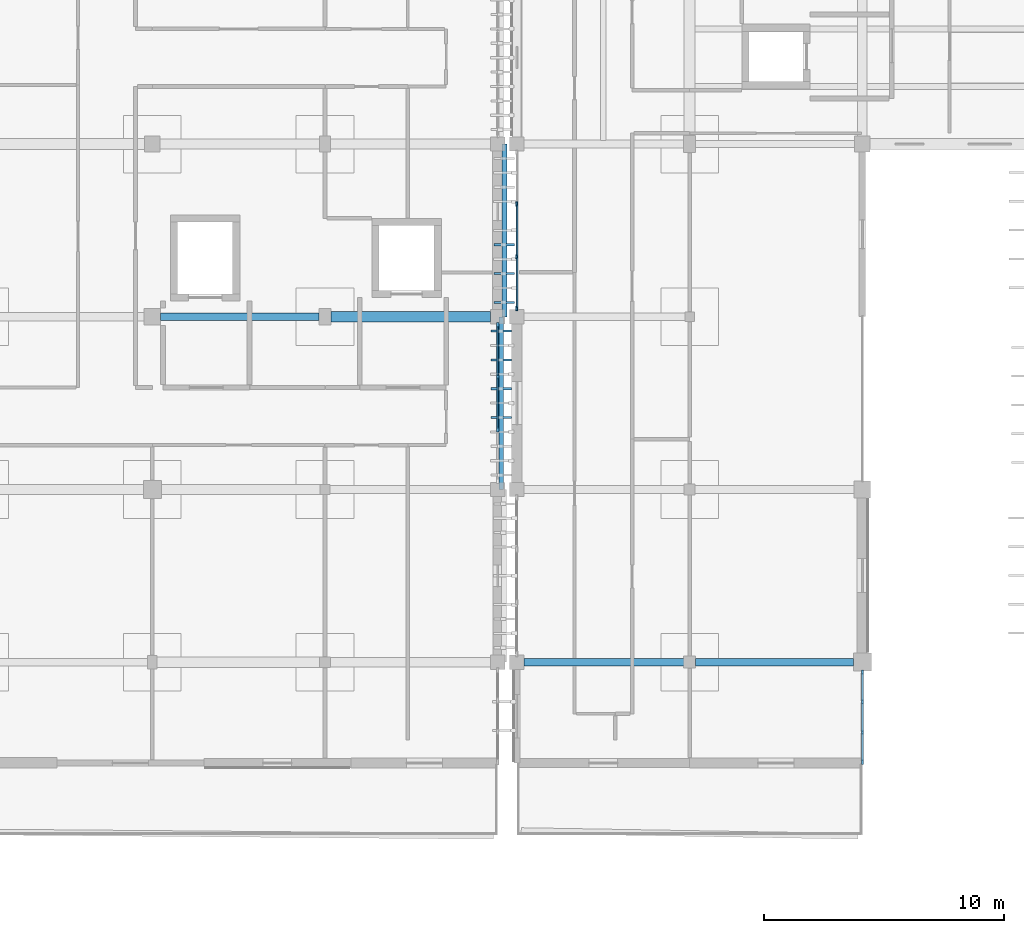
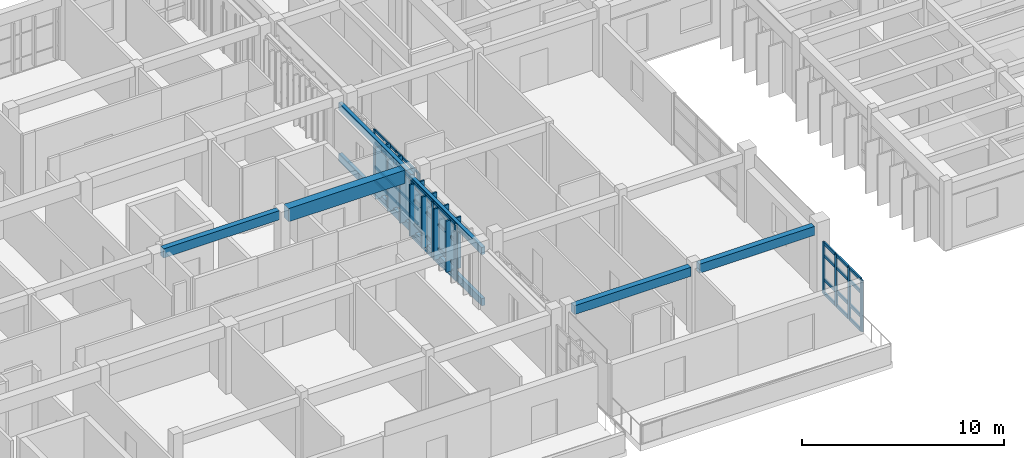
# One storey, part 4 of 55: 45 members, 8 beams, 3 elements without a shape of their own.
"""IFC4 building model written with IfcOpenShell, lengths in metres."""

from ifc_helpers import new_model, si_unit, direction, frame, origin, origin_2d, place, context, subcontext, project, spatial, rectangle, extrude, material, material_profile, profile_set, type_object, element, aggregate, save


model = new_model("IFC4")

# Units and contexts
model_context = context("Model", 3, precision=1e-05, world=origin(), true_north=direction((0.0, 1.0)))
body_context = subcontext(model_context, "Body", "Model", "MODEL_VIEW")
ifc_project = project(units=[si_unit("LENGTHUNIT", "METRE"), si_unit("AREAUNIT", "SQUARE_METRE"), si_unit("VOLUMEUNIT", "CUBIC_METRE"), si_unit("PLANEANGLEUNIT", "RADIAN"), si_unit("MASSUNIT", "GRAM", prefix="KILO")], contexts=[model_context])

# Site, building, storey
site_placement = place(None, origin())
site = spatial("IfcSite", under=ifc_project, at=site_placement, CompositionType="ELEMENT")
building_placement = place(site_placement, origin())
building = spatial("IfcBuilding", under=site, at=building_placement, Name="Steenspoor Specialist Clinic", CompositionType="ELEMENT")
storey_placement = place(building_placement, frame((0.0, 0.0, 13.199951171875)))
storey = spatial("IfcBuildingStorey", under=building, at=storey_placement, Name="L03", CompositionType="ELEMENT", Elevation=13.199951171875)

# Beams
ifc_material_1 = material(Name="Glulam GL28h", Category="wood")
ifc_material_profile_1 = material_profile(ifc_material_1, rectangle(XDim=0.199951171875, YDim=0.43994140625, at=origin_2d()), Name="GL28H-200X440")
ifc_profile_set_1 = profile_set([ifc_material_profile_1], Name="Glulam GL28h")
beam_type_1 = type_object("IfcBeamType", Name="BM-GL-200X440", PredefinedType="BEAM", material=ifc_profile_set_1)
for number, where, z_axis, x_axis, name in (
    (1, (51.8798828125, 93.949951171875, 0.14013671875), (0.0, -1.0, 0.0), (1.0, 0.0, 0.0), "Timber Screen Tie Rail V5 L03 215"),
    (2, (51.8798828125, 93.949951171875, 3.22998046875), (0.0, -1.0, 0.0), (1.0, 0.0, 0.0), "Timber Screen Tie Rail V5 L03 216"),
    (3, (51.75, 86.75, 0.14013671875), (0.0, -1.0, 0.0), (1.0, 0.0, 0.0), "Timber Screen Tie Rail V5 L03 222"),
    (4, (51.75, 86.75, 3.22998046875), (0.0, -1.0, 0.0), (1.0, 0.0, 0.0), "Timber Screen Tie Rail V5 L03 223"),
):
    element("IfcBeam", number, at=place(storey_placement, frame(where, z_axis=z_axis, x_axis=x_axis)), inside=storey, type_object=beam_type_1, Name=name, PredefinedType="BEAM", context=body_context, shape_type="SweptSolid", body=[
        extrude(rectangle(XDim=0.199951171875, YDim=0.43994140625, at=origin_2d()), origin(), (0.0, 0.0, 1.0), 7.199951171875),
    ])
ifc_material_2 = material(Name="Concrete C35/45", Category="concrete")
ifc_material_profile_2 = material_profile(ifc_material_2, rectangle(XDim=0.300048828125, YDim=0.550048828125, at=origin_2d()), Name="RC-BM-300X550")
ifc_profile_set_2 = profile_set([ifc_material_profile_2], Name="Concrete C35/45")
beam_type_2 = type_object("IfcBeamType", Name="BM-RC-300X550", PredefinedType="BEAM", material=ifc_profile_set_2)
beam_1_placement = place(storey_placement, frame((37.544921875, 86.75, 3.760009765625), z_axis=(1.0, 0.0, 0.0), x_axis=(0.0, 1.0, 0.0)))
element("IfcBeam", 5, at=beam_1_placement, inside=storey, type_object=beam_type_2, Name="BM-V5-L03-X1345", PredefinedType="BEAM", context=body_context, shape_type="SweptSolid", body=[
    extrude(rectangle(XDim=0.300048828125, YDim=0.550048828125, at=origin_2d()), origin(), (0.0, 0.0, 1.0), 6.610107421875),
])
ifc_material_profile_3 = material_profile(ifc_material_2, rectangle(XDim=0.449951171875, YDim=0.800048828125, at=origin_2d()), Name="RC-BM-450X800")
ifc_profile_set_3 = profile_set([ifc_material_profile_3], Name="Concrete C35/45")
beam_type_3 = type_object("IfcBeamType", Name="BM-RC-450X800", PredefinedType="BEAM", material=ifc_profile_set_3)
beam_2_placement = place(storey_placement, frame((44.64501953125, 86.75, 3.635009765625), z_axis=(1.0, 0.0, 0.0), x_axis=(0.0, 1.0, 0.0)))
element("IfcBeam", 6, at=beam_2_placement, inside=storey, type_object=beam_type_3, Name="BM-V5-L03-X1346", PredefinedType="BEAM", context=body_context, shape_type="SweptSolid", body=[
    extrude(rectangle(XDim=0.449951171875, YDim=0.800048828125, at=origin_2d()), origin(), (0.0, 0.0, 1.0), 6.659912109375),
])

# Curtain wall, members
ifc_material_3 = material(Name="Thermally broken aluminium and low-emissivity glass", Category="aluminium")
curtain_wall_type_1 = type_object("IfcCurtainWallType", Name="CW-HALL-660X820", PredefinedType="USERDEFINED", material=ifc_material_3)
curtain_wall_1_placement = place(storey_placement, origin())
curtain_wall_1 = element("IfcCurtainWall", 7, at=curtain_wall_1_placement, inside=storey, type_object=curtain_wall_type_1, Name="Unitised Curtain Wall CW-V4-L03-121", ObjectType="UNITISED GLAZING", PredefinedType="USERDEFINED")
ifc_material_4 = material(Name="Thermally broken aluminium 6063-T6", Category="aluminium")
ifc_material_profile_4 = material_profile(ifc_material_4, rectangle(XDim=0.080078125, YDim=0.179931640625, at=origin_2d()), Name="CWM-80X180")
ifc_profile_set_4 = profile_set([ifc_material_profile_4], Name="Thermally broken aluminium 6063-T6")
member_type_1 = type_object("IfcMemberType", Name="CW-MULL-80X180", PredefinedType="MULLION", material=ifc_profile_set_4)
member_1_placement = place(storey_placement, frame((52.39990234375, 87.090087890625, 0.0), z_axis=(0.0, 0.0, 1.0), x_axis=(-1.0, 0.0, 0.0)))
member_1 = element("IfcMember", 8, at=member_1_placement, type_object=member_type_1, Name="CW-01 mullion 1", PredefinedType="MULLION", context=body_context, shape_type="SweptSolid", body=[
    extrude(rectangle(XDim=0.080078125, YDim=0.179931640625, at=origin_2d()), origin(), (0.0, 0.0, 1.0), 3.130126953125),
])
member_2_placement = place(storey_placement, frame((52.39990234375, 89.25, 0.0), z_axis=(0.0, 0.0, 1.0), x_axis=(-1.0, 0.0, 0.0)))
member_2 = element("IfcMember", 9, at=member_2_placement, type_object=member_type_1, Name="CW-01 mullion 2", PredefinedType="MULLION", context=body_context, shape_type="SweptSolid", body=[
    extrude(rectangle(XDim=0.080078125, YDim=0.179931640625, at=origin_2d()), origin(), (0.0, 0.0, 1.0), 3.130126953125),
])
member_3_placement = place(storey_placement, frame((52.39990234375, 91.449951171875, 0.0), z_axis=(0.0, 0.0, 1.0), x_axis=(-1.0, 0.0, 0.0)))
member_3 = element("IfcMember", 10, at=member_3_placement, type_object=member_type_1, Name="CW-01 mullion 3", PredefinedType="MULLION", context=body_context, shape_type="SweptSolid", body=[
    extrude(rectangle(XDim=0.080078125, YDim=0.179931640625, at=origin_2d()), origin(), (0.0, 0.0, 1.0), 3.130126953125),
])

curtain_wall_type_2 = type_object("IfcCurtainWallType", Name="CW-STR-220X355", PredefinedType="USERDEFINED", material=ifc_material_3)
curtain_wall_2_placement = place(storey_placement, origin())
curtain_wall_2 = element("IfcCurtainWall", 11, at=curtain_wall_2_placement, inside=storey, type_object=curtain_wall_type_2, Name="Unitised Curtain Wall CW-V4-L03-119", ObjectType="UNITISED GLAZING", PredefinedType="USERDEFINED")
ifc_material_profile_5 = material_profile(ifc_material_4, rectangle(XDim=0.090087890625, YDim=0.199951171875, at=origin_2d()), Name="CWM-90X200")
ifc_profile_set_5 = profile_set([ifc_material_profile_5], Name="Thermally broken aluminium 6063-T6")
member_type_2 = type_object("IfcMemberType", Name="CW-MULL-90X200", PredefinedType="MULLION", material=ifc_profile_set_5)
member_4_placement = place(storey_placement, frame((66.800048828125, 71.929931640625, 0.0), z_axis=(0.0, 0.0, 1.0), x_axis=(1.0, 0.0, 0.0)))
member_4 = element("IfcMember", 12, at=member_4_placement, type_object=member_type_2, Name="CW-23 mullion 1", PredefinedType="MULLION", context=body_context, shape_type="SweptSolid", body=[
    extrude(rectangle(XDim=0.090087890625, YDim=0.199951171875, at=origin_2d()), origin(), (0.0, 0.0, 1.0), 3.130126953125),
])
member_5_placement = place(storey_placement, frame((66.800048828125, 70.699951171875, 0.0), z_axis=(0.0, 0.0, 1.0), x_axis=(1.0, 0.0, 0.0)))
member_5 = element("IfcMember", 13, at=member_5_placement, type_object=member_type_2, Name="CW-23 mullion 2", PredefinedType="MULLION", context=body_context, shape_type="SweptSolid", body=[
    extrude(rectangle(XDim=0.090087890625, YDim=0.199951171875, at=origin_2d()), origin(), (0.0, 0.0, 1.0), 3.130126953125),
])
member_6_placement = place(storey_placement, frame((66.800048828125, 69.425048828125, 0.0), z_axis=(0.0, 0.0, 1.0), x_axis=(1.0, 0.0, 0.0)))
member_6 = element("IfcMember", 14, at=member_6_placement, type_object=member_type_2, Name="CW-23 mullion 3", PredefinedType="MULLION", context=body_context, shape_type="SweptSolid", body=[
    extrude(rectangle(XDim=0.090087890625, YDim=0.199951171875, at=origin_2d()), origin(), (0.0, 0.0, 1.0), 3.130126953125),
])
member_7_placement = place(storey_placement, frame((66.800048828125, 68.195068359375, 0.0), z_axis=(0.0, 0.0, 1.0), x_axis=(1.0, 0.0, 0.0)))
member_7 = element("IfcMember", 15, at=member_7_placement, type_object=member_type_2, Name="CW-23 mullion 4", PredefinedType="MULLION", context=body_context, shape_type="SweptSolid", body=[
    extrude(rectangle(XDim=0.090087890625, YDim=0.199951171875, at=origin_2d()), origin(), (0.0, 0.0, 1.0), 3.130126953125),
])

curtain_wall_type_3 = type_object("IfcCurtainWallType", Name="CW-SCR-660X320", PredefinedType="USERDEFINED", material=ifc_material_3)
curtain_wall_3_placement = place(storey_placement, origin())
curtain_wall_3 = element("IfcCurtainWall", 16, at=curtain_wall_3_placement, inside=storey, type_object=curtain_wall_type_3, Name="Unitised Curtain Wall CW-V5-L03-161", ObjectType="UNITISED GLAZING", PredefinedType="USERDEFINED")
member_8_placement = place(storey_placement, frame((51.60009765625, 86.405029296875, 0.0), z_axis=(0.0, 0.0, 1.0), x_axis=(1.0, 0.0, 0.0)))
member_8 = element("IfcMember", 17, at=member_8_placement, type_object=member_type_2, Name="CW-17 mullion 1", PredefinedType="MULLION", context=body_context, shape_type="SweptSolid", body=[
    extrude(rectangle(XDim=0.090087890625, YDim=0.199951171875, at=origin_2d()), origin(), (0.0, 0.0, 1.0), 3.380126953125),
])
member_9_placement = place(storey_placement, frame((51.60009765625, 84.25, 0.0), z_axis=(0.0, 0.0, 1.0), x_axis=(1.0, 0.0, 0.0)))
member_9 = element("IfcMember", 18, at=member_9_placement, type_object=member_type_2, Name="CW-17 mullion 2", PredefinedType="MULLION", context=body_context, shape_type="SweptSolid", body=[
    extrude(rectangle(XDim=0.090087890625, YDim=0.199951171875, at=origin_2d()), origin(), (0.0, 0.0, 1.0), 3.380126953125),
])
member_10_placement = place(storey_placement, frame((51.60009765625, 82.050048828125, 0.0), z_axis=(0.0, 0.0, 1.0), x_axis=(1.0, 0.0, 0.0)))
member_10 = element("IfcMember", 19, at=member_10_placement, type_object=member_type_2, Name="CW-17 mullion 3", PredefinedType="MULLION", context=body_context, shape_type="SweptSolid", body=[
    extrude(rectangle(XDim=0.090087890625, YDim=0.199951171875, at=origin_2d()), origin(), (0.0, 0.0, 1.0), 3.380126953125),
])

# Member
ifc_material_profile_6 = material_profile(ifc_material_4, rectangle(XDim=0.070068359375, YDim=0.14501953125, at=origin_2d()), Name="CWT-70X145")
ifc_profile_set_6 = profile_set([ifc_material_profile_6], Name="Thermally broken aluminium 6063-T6")
member_type_3 = type_object("IfcMemberType", Name="CW-TRAN-70X145", PredefinedType="USERDEFINED", material=ifc_profile_set_6)
member_11_placement = place(storey_placement, frame((52.39990234375, 87.1298828125, 0.03515625), z_axis=(0.0, 1.0, 0.0), x_axis=(-1.0, 0.0, 0.0)))
member_11 = element("IfcMember", 20, at=member_11_placement, type_object=member_type_3, Name="CW-01 transom 1.1", ObjectType="TRANSOM", PredefinedType="USERDEFINED", context=body_context, shape_type="SweptSolid", body=[
    extrude(rectangle(XDim=0.070068359375, YDim=0.14501953125, at=origin_2d()), origin(), (0.0, 0.0, 1.0), 2.080078125),
])

member_12_placement = place(storey_placement, frame((52.39990234375, 87.1298828125, 0.900146484375), z_axis=(0.0, 1.0, 0.0), x_axis=(-1.0, 0.0, 0.0)))
member_12 = element("IfcMember", 21, at=member_12_placement, type_object=member_type_3, Name="CW-01 transom 1.2", ObjectType="TRANSOM", PredefinedType="USERDEFINED", context=body_context, shape_type="SweptSolid", body=[
    extrude(rectangle(XDim=0.070068359375, YDim=0.14501953125, at=origin_2d()), origin(), (0.0, 0.0, 1.0), 2.080078125),
])

member_13_placement = place(storey_placement, frame((52.39990234375, 87.1298828125, 2.35009765625), z_axis=(0.0, 1.0, 0.0), x_axis=(-1.0, 0.0, 0.0)))
member_13 = element("IfcMember", 22, at=member_13_placement, type_object=member_type_3, Name="CW-01 transom 1.3", ObjectType="TRANSOM", PredefinedType="USERDEFINED", context=body_context, shape_type="SweptSolid", body=[
    extrude(rectangle(XDim=0.070068359375, YDim=0.14501953125, at=origin_2d()), origin(), (0.0, 0.0, 1.0), 2.080078125),
])

member_14_placement = place(storey_placement, frame((52.39990234375, 87.1298828125, 3.094970703125), z_axis=(0.0, 1.0, 0.0), x_axis=(-1.0, 0.0, 0.0)))
member_14 = element("IfcMember", 23, at=member_14_placement, type_object=member_type_3, Name="CW-01 transom 1.4", ObjectType="TRANSOM", PredefinedType="USERDEFINED", context=body_context, shape_type="SweptSolid", body=[
    extrude(rectangle(XDim=0.070068359375, YDim=0.14501953125, at=origin_2d()), origin(), (0.0, 0.0, 1.0), 2.080078125),
])

member_15_placement = place(storey_placement, frame((52.39990234375, 89.2900390625, 0.03515625), z_axis=(0.0, 1.0, 0.0), x_axis=(-1.0, 0.0, 0.0)))
member_15 = element("IfcMember", 24, at=member_15_placement, type_object=member_type_3, Name="CW-01 transom 2.1", ObjectType="TRANSOM", PredefinedType="USERDEFINED", context=body_context, shape_type="SweptSolid", body=[
    extrude(rectangle(XDim=0.070068359375, YDim=0.14501953125, at=origin_2d()), origin(), (0.0, 0.0, 1.0), 2.119873046875),
])

member_16_placement = place(storey_placement, frame((52.39990234375, 89.2900390625, 0.900146484375), z_axis=(0.0, 1.0, 0.0), x_axis=(-1.0, 0.0, 0.0)))
member_16 = element("IfcMember", 25, at=member_16_placement, type_object=member_type_3, Name="CW-01 transom 2.2", ObjectType="TRANSOM", PredefinedType="USERDEFINED", context=body_context, shape_type="SweptSolid", body=[
    extrude(rectangle(XDim=0.070068359375, YDim=0.14501953125, at=origin_2d()), origin(), (0.0, 0.0, 1.0), 2.119873046875),
])

member_17_placement = place(storey_placement, frame((52.39990234375, 89.2900390625, 2.35009765625), z_axis=(0.0, 1.0, 0.0), x_axis=(-1.0, 0.0, 0.0)))
member_17 = element("IfcMember", 26, at=member_17_placement, type_object=member_type_3, Name="CW-01 transom 2.3", ObjectType="TRANSOM", PredefinedType="USERDEFINED", context=body_context, shape_type="SweptSolid", body=[
    extrude(rectangle(XDim=0.070068359375, YDim=0.14501953125, at=origin_2d()), origin(), (0.0, 0.0, 1.0), 2.119873046875),
])

member_18_placement = place(storey_placement, frame((52.39990234375, 89.2900390625, 3.094970703125), z_axis=(0.0, 1.0, 0.0), x_axis=(-1.0, 0.0, 0.0)))
member_18 = element("IfcMember", 27, at=member_18_placement, type_object=member_type_3, Name="CW-01 transom 2.4", ObjectType="TRANSOM", PredefinedType="USERDEFINED", context=body_context, shape_type="SweptSolid", body=[
    extrude(rectangle(XDim=0.070068359375, YDim=0.14501953125, at=origin_2d()), origin(), (0.0, 0.0, 1.0), 2.119873046875),
])

aggregate(curtain_wall_1, [member_1, member_2, member_3, member_11, member_12, member_13, member_14, member_15, member_16, member_17, member_18])

member_19_placement = place(storey_placement, frame((51.60009765625, 86.360107421875, 0.03515625), z_axis=(0.0, -1.0, 0.0), x_axis=(1.0, 0.0, 0.0)))
member_19 = element("IfcMember", 28, at=member_19_placement, type_object=member_type_3, Name="CW-17 transom 1.1", ObjectType="TRANSOM", PredefinedType="USERDEFINED", context=body_context, shape_type="SweptSolid", body=[
    extrude(rectangle(XDim=0.070068359375, YDim=0.14501953125, at=origin_2d()), origin(), (0.0, 0.0, 1.0), 2.065185546875),
])

member_20_placement = place(storey_placement, frame((51.60009765625, 86.360107421875, 0.900146484375), z_axis=(0.0, -1.0, 0.0), x_axis=(1.0, 0.0, 0.0)))
member_20 = element("IfcMember", 29, at=member_20_placement, type_object=member_type_3, Name="CW-17 transom 1.2", ObjectType="TRANSOM", PredefinedType="USERDEFINED", context=body_context, shape_type="SweptSolid", body=[
    extrude(rectangle(XDim=0.070068359375, YDim=0.14501953125, at=origin_2d()), origin(), (0.0, 0.0, 1.0), 2.065185546875),
])

member_21_placement = place(storey_placement, frame((51.60009765625, 86.360107421875, 2.35009765625), z_axis=(0.0, -1.0, 0.0), x_axis=(1.0, 0.0, 0.0)))
member_21 = element("IfcMember", 30, at=member_21_placement, type_object=member_type_3, Name="CW-17 transom 1.3", ObjectType="TRANSOM", PredefinedType="USERDEFINED", context=body_context, shape_type="SweptSolid", body=[
    extrude(rectangle(XDim=0.070068359375, YDim=0.14501953125, at=origin_2d()), origin(), (0.0, 0.0, 1.0), 2.065185546875),
])

member_22_placement = place(storey_placement, frame((51.60009765625, 86.360107421875, 3.344970703125), z_axis=(0.0, -1.0, 0.0), x_axis=(1.0, 0.0, 0.0)))
member_22 = element("IfcMember", 31, at=member_22_placement, type_object=member_type_3, Name="CW-17 transom 1.4", ObjectType="TRANSOM", PredefinedType="USERDEFINED", context=body_context, shape_type="SweptSolid", body=[
    extrude(rectangle(XDim=0.070068359375, YDim=0.14501953125, at=origin_2d()), origin(), (0.0, 0.0, 1.0), 2.065185546875),
])

member_23_placement = place(storey_placement, frame((51.60009765625, 84.205078125, 0.03515625), z_axis=(0.0, -1.0, 0.0), x_axis=(1.0, 0.0, 0.0)))
member_23 = element("IfcMember", 32, at=member_23_placement, type_object=member_type_3, Name="CW-17 transom 2.1", ObjectType="TRANSOM", PredefinedType="USERDEFINED", context=body_context, shape_type="SweptSolid", body=[
    extrude(rectangle(XDim=0.070068359375, YDim=0.14501953125, at=origin_2d()), origin(), (0.0, 0.0, 1.0), 2.110107421875),
])

member_24_placement = place(storey_placement, frame((51.60009765625, 84.205078125, 0.900146484375), z_axis=(0.0, -1.0, 0.0), x_axis=(1.0, 0.0, 0.0)))
member_24 = element("IfcMember", 33, at=member_24_placement, type_object=member_type_3, Name="CW-17 transom 2.2", ObjectType="TRANSOM", PredefinedType="USERDEFINED", context=body_context, shape_type="SweptSolid", body=[
    extrude(rectangle(XDim=0.070068359375, YDim=0.14501953125, at=origin_2d()), origin(), (0.0, 0.0, 1.0), 2.110107421875),
])

member_25_placement = place(storey_placement, frame((51.60009765625, 84.205078125, 2.35009765625), z_axis=(0.0, -1.0, 0.0), x_axis=(1.0, 0.0, 0.0)))
member_25 = element("IfcMember", 34, at=member_25_placement, type_object=member_type_3, Name="CW-17 transom 2.3", ObjectType="TRANSOM", PredefinedType="USERDEFINED", context=body_context, shape_type="SweptSolid", body=[
    extrude(rectangle(XDim=0.070068359375, YDim=0.14501953125, at=origin_2d()), origin(), (0.0, 0.0, 1.0), 2.110107421875),
])

member_26_placement = place(storey_placement, frame((51.60009765625, 84.205078125, 3.344970703125), z_axis=(0.0, -1.0, 0.0), x_axis=(1.0, 0.0, 0.0)))
member_26 = element("IfcMember", 35, at=member_26_placement, type_object=member_type_3, Name="CW-17 transom 2.4", ObjectType="TRANSOM", PredefinedType="USERDEFINED", context=body_context, shape_type="SweptSolid", body=[
    extrude(rectangle(XDim=0.070068359375, YDim=0.14501953125, at=origin_2d()), origin(), (0.0, 0.0, 1.0), 2.110107421875),
])

aggregate(curtain_wall_3, [member_8, member_9, member_10, member_19, member_20, member_21, member_22, member_23, member_24, member_25, member_26])

ifc_material_profile_7 = material_profile(ifc_material_4, rectangle(XDim=0.090087890625, YDim=0.175048828125, at=origin_2d()), Name="CWT-90X175")
ifc_profile_set_7 = profile_set([ifc_material_profile_7], Name="Thermally broken aluminium 6063-T6")
member_type_4 = type_object("IfcMemberType", Name="CW-TRAN-90X175", PredefinedType="USERDEFINED", material=ifc_profile_set_7)
member_27_placement = place(storey_placement, frame((66.800048828125, 71.885009765625, 0.045166015625), z_axis=(0.0, -1.0, 0.0), x_axis=(1.0, 0.0, 0.0)))
member_27 = element("IfcMember", 36, at=member_27_placement, type_object=member_type_4, Name="CW-23 transom 1.1", ObjectType="TRANSOM", PredefinedType="USERDEFINED", context=body_context, shape_type="SweptSolid", body=[
    extrude(rectangle(XDim=0.090087890625, YDim=0.175048828125, at=origin_2d()), origin(), (0.0, 0.0, 1.0), 1.139892578125),
])

member_28_placement = place(storey_placement, frame((66.800048828125, 71.885009765625, 0.900146484375), z_axis=(0.0, -1.0, 0.0), x_axis=(1.0, 0.0, 0.0)))
member_28 = element("IfcMember", 37, at=member_28_placement, type_object=member_type_4, Name="CW-23 transom 1.2", ObjectType="TRANSOM", PredefinedType="USERDEFINED", context=body_context, shape_type="SweptSolid", body=[
    extrude(rectangle(XDim=0.090087890625, YDim=0.175048828125, at=origin_2d()), origin(), (0.0, 0.0, 1.0), 1.139892578125),
])

member_29_placement = place(storey_placement, frame((66.800048828125, 71.885009765625, 2.35009765625), z_axis=(0.0, -1.0, 0.0), x_axis=(1.0, 0.0, 0.0)))
member_29 = element("IfcMember", 38, at=member_29_placement, type_object=member_type_4, Name="CW-23 transom 1.3", ObjectType="TRANSOM", PredefinedType="USERDEFINED", context=body_context, shape_type="SweptSolid", body=[
    extrude(rectangle(XDim=0.090087890625, YDim=0.175048828125, at=origin_2d()), origin(), (0.0, 0.0, 1.0), 1.139892578125),
])

member_30_placement = place(storey_placement, frame((66.800048828125, 71.885009765625, 3.0849609375), z_axis=(0.0, -1.0, 0.0), x_axis=(1.0, 0.0, 0.0)))
member_30 = element("IfcMember", 39, at=member_30_placement, type_object=member_type_4, Name="CW-23 transom 1.4", ObjectType="TRANSOM", PredefinedType="USERDEFINED", context=body_context, shape_type="SweptSolid", body=[
    extrude(rectangle(XDim=0.090087890625, YDim=0.175048828125, at=origin_2d()), origin(), (0.0, 0.0, 1.0), 1.139892578125),
])

member_31_placement = place(storey_placement, frame((66.800048828125, 70.655029296875, 0.045166015625), z_axis=(0.0, -1.0, 0.0), x_axis=(1.0, 0.0, 0.0)))
member_31 = element("IfcMember", 40, at=member_31_placement, type_object=member_type_4, Name="CW-23 transom 2.1", ObjectType="TRANSOM", PredefinedType="USERDEFINED", context=body_context, shape_type="SweptSolid", body=[
    extrude(rectangle(XDim=0.090087890625, YDim=0.175048828125, at=origin_2d()), origin(), (0.0, 0.0, 1.0), 1.18505859375),
])

member_32_placement = place(storey_placement, frame((66.800048828125, 70.655029296875, 0.900146484375), z_axis=(0.0, -1.0, 0.0), x_axis=(1.0, 0.0, 0.0)))
member_32 = element("IfcMember", 41, at=member_32_placement, type_object=member_type_4, Name="CW-23 transom 2.2", ObjectType="TRANSOM", PredefinedType="USERDEFINED", context=body_context, shape_type="SweptSolid", body=[
    extrude(rectangle(XDim=0.090087890625, YDim=0.175048828125, at=origin_2d()), origin(), (0.0, 0.0, 1.0), 1.18505859375),
])

member_33_placement = place(storey_placement, frame((66.800048828125, 70.655029296875, 2.35009765625), z_axis=(0.0, -1.0, 0.0), x_axis=(1.0, 0.0, 0.0)))
member_33 = element("IfcMember", 42, at=member_33_placement, type_object=member_type_4, Name="CW-23 transom 2.3", ObjectType="TRANSOM", PredefinedType="USERDEFINED", context=body_context, shape_type="SweptSolid", body=[
    extrude(rectangle(XDim=0.090087890625, YDim=0.175048828125, at=origin_2d()), origin(), (0.0, 0.0, 1.0), 1.18505859375),
])

member_34_placement = place(storey_placement, frame((66.800048828125, 70.655029296875, 3.0849609375), z_axis=(0.0, -1.0, 0.0), x_axis=(1.0, 0.0, 0.0)))
member_34 = element("IfcMember", 43, at=member_34_placement, type_object=member_type_4, Name="CW-23 transom 2.4", ObjectType="TRANSOM", PredefinedType="USERDEFINED", context=body_context, shape_type="SweptSolid", body=[
    extrude(rectangle(XDim=0.090087890625, YDim=0.175048828125, at=origin_2d()), origin(), (0.0, 0.0, 1.0), 1.18505859375),
])

member_35_placement = place(storey_placement, frame((66.800048828125, 69.3798828125, 0.045166015625), z_axis=(0.0, -1.0, 0.0), x_axis=(1.0, 0.0, 0.0)))
member_35 = element("IfcMember", 44, at=member_35_placement, type_object=member_type_4, Name="CW-23 transom 3.1", ObjectType="TRANSOM", PredefinedType="USERDEFINED", context=body_context, shape_type="SweptSolid", body=[
    extrude(rectangle(XDim=0.090087890625, YDim=0.175048828125, at=origin_2d()), origin(), (0.0, 0.0, 1.0), 1.139892578125),
])

member_36_placement = place(storey_placement, frame((66.800048828125, 69.3798828125, 0.900146484375), z_axis=(0.0, -1.0, 0.0), x_axis=(1.0, 0.0, 0.0)))
member_36 = element("IfcMember", 45, at=member_36_placement, type_object=member_type_4, Name="CW-23 transom 3.2", ObjectType="TRANSOM", PredefinedType="USERDEFINED", context=body_context, shape_type="SweptSolid", body=[
    extrude(rectangle(XDim=0.090087890625, YDim=0.175048828125, at=origin_2d()), origin(), (0.0, 0.0, 1.0), 1.139892578125),
])

member_37_placement = place(storey_placement, frame((66.800048828125, 69.3798828125, 2.35009765625), z_axis=(0.0, -1.0, 0.0), x_axis=(1.0, 0.0, 0.0)))
member_37 = element("IfcMember", 46, at=member_37_placement, type_object=member_type_4, Name="CW-23 transom 3.3", ObjectType="TRANSOM", PredefinedType="USERDEFINED", context=body_context, shape_type="SweptSolid", body=[
    extrude(rectangle(XDim=0.090087890625, YDim=0.175048828125, at=origin_2d()), origin(), (0.0, 0.0, 1.0), 1.139892578125),
])

member_38_placement = place(storey_placement, frame((66.800048828125, 69.3798828125, 3.0849609375), z_axis=(0.0, -1.0, 0.0), x_axis=(1.0, 0.0, 0.0)))
member_38 = element("IfcMember", 47, at=member_38_placement, type_object=member_type_4, Name="CW-23 transom 3.4", ObjectType="TRANSOM", PredefinedType="USERDEFINED", context=body_context, shape_type="SweptSolid", body=[
    extrude(rectangle(XDim=0.090087890625, YDim=0.175048828125, at=origin_2d()), origin(), (0.0, 0.0, 1.0), 1.139892578125),
])

aggregate(curtain_wall_2, [member_4, member_5, member_6, member_7, member_27, member_28, member_29, member_30, member_31, member_32, member_33, member_34, member_35, member_36, member_37, member_38])

# Members
ifc_material_profile_8 = material_profile(ifc_material_1, rectangle(XDim=0.090087890625, YDim=0.85009765625, at=origin_2d()), Name="GL28H-90X850")
ifc_profile_set_8 = profile_set([ifc_material_profile_8], Name="Glulam GL28h")
member_type_5 = type_object("IfcMemberType", Name="MEM-SCREEN-GL850", PredefinedType="STRUT", material=ifc_profile_set_8)
for number, where, z_axis, x_axis, name in (
    (48, (51.8798828125, 89.75, 0.27001953125), (0.0, 0.0, 1.0), (0.0, -1.0, 0.0), "Glulam Timber Screen Fin SCR-FIN-V5-L03-0219"),
    (49, (51.8798828125, 88.550048828125, 0.27001953125), (0.0, 0.0, 1.0), (0.0, -1.0, 0.0), "Glulam Timber Screen Fin SCR-FIN-V5-L03-0220"),
    (50, (51.8798828125, 87.35009765625, 0.27001953125), (0.0, 0.0, 1.0), (0.0, -1.0, 0.0), "Glulam Timber Screen Fin SCR-FIN-V5-L03-0221"),
    (51, (51.75, 86.14990234375, 0.27001953125), (0.0, 0.0, 1.0), (0.0, -1.0, 0.0), "Glulam Timber Screen Fin SCR-FIN-V5-L03-0224"),
    (52, (51.75, 84.949951171875, 0.27001953125), (0.0, 0.0, 1.0), (0.0, -1.0, 0.0), "Glulam Timber Screen Fin SCR-FIN-V5-L03-0225"),
    (53, (51.75, 83.75, 0.27001953125), (0.0, 0.0, 1.0), (0.0, -1.0, 0.0), "Glulam Timber Screen Fin SCR-FIN-V5-L03-0226"),
    (54, (51.75, 82.550048828125, 0.27001953125), (0.0, 0.0, 1.0), (0.0, -1.0, 0.0), "Glulam Timber Screen Fin SCR-FIN-V5-L03-0227"),
):
    element("IfcMember", number, at=place(storey_placement, frame(where, z_axis=z_axis, x_axis=x_axis)), inside=storey, type_object=member_type_5, Name=name, PredefinedType="STRUT", context=body_context, shape_type="SweptSolid", body=[
        extrude(rectangle(XDim=0.090087890625, YDim=0.85009765625, at=origin_2d()), origin(), (0.0, 0.0, 1.0), 3.10009765625),
    ])

# Beams
ifc_material_profile_9 = material_profile(ifc_material_2, rectangle(XDim=0.320068359375, YDim=0.5400390625, at=origin_2d()), Name="RC-SP-320X540")
ifc_profile_set_9 = profile_set([ifc_material_profile_9], Name="Concrete C35/45")
beam_type_4 = type_object("IfcBeamType", Name="SP-RC-320X540", PredefinedType="SPANDREL", material=ifc_profile_set_9)
beam_3_placement = place(storey_placement, frame((52.695068359375, 72.35009765625, 3.76513671875), z_axis=(1.0, 0.0, 0.0), x_axis=(0.0, 1.0, 0.0)))
element("IfcBeam", 55, at=beam_3_placement, inside=storey, type_object=beam_type_4, Name="BMTIER-V4-L03-X00-01", PredefinedType="SPANDREL", context=body_context, shape_type="SweptSolid", body=[
    extrude(rectangle(XDim=0.320068359375, YDim=0.5400390625, at=origin_2d()), origin(), (0.0, 0.0, 1.0), 6.659912109375),
])
beam_4_placement = place(storey_placement, frame((59.844970703125, 72.35009765625, 3.76513671875), z_axis=(1.0, 0.0, 0.0), x_axis=(0.0, 1.0, 0.0)))
element("IfcBeam", 56, at=beam_4_placement, inside=storey, type_object=beam_type_4, Name="BMTIER-V4-L03-X01-01", PredefinedType="SPANDREL", context=body_context, shape_type="SweptSolid", body=[
    extrude(rectangle(XDim=0.320068359375, YDim=0.5400390625, at=origin_2d()), origin(), (0.0, 0.0, 1.0), 6.5849609375),
])

save(model, "model.ifc")
